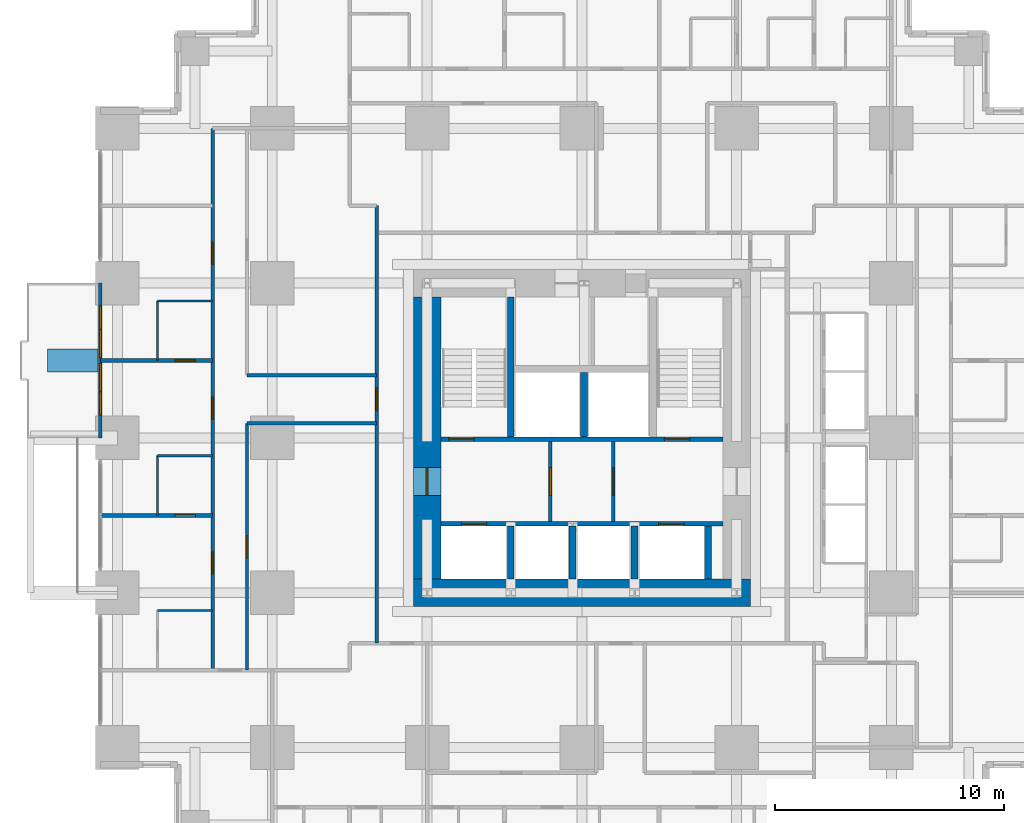
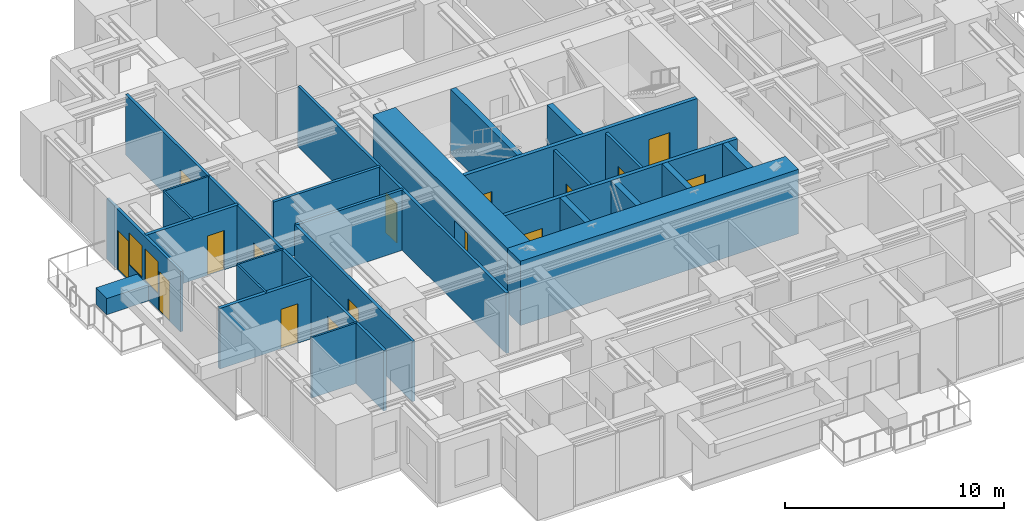
# One storey, part 9 of 14: 26 walls, 16 doors, 2 windows, 18 openings.
"""IFC4 building model written with IfcOpenShell, lengths in metres."""

from ifc_helpers import new_model, si_unit, direction, frame, frame_2d, origin, place, context, subcontext, project, spatial, rectangle, extrude, material, layer, layer_set, type_object, element, fill, save


model = new_model("IFC4")

# Units and contexts
model_context = context("Model", 3, precision=1e-05, world=origin(), true_north=direction((0.0, 1.0)))
body_context = subcontext(model_context, "Body", "Model", "MODEL_VIEW")
ifc_project = project(units=[si_unit("LENGTHUNIT", "METRE"), si_unit("AREAUNIT", "SQUARE_METRE"), si_unit("VOLUMEUNIT", "CUBIC_METRE"), si_unit("PLANEANGLEUNIT", "RADIAN"), si_unit("MASSUNIT", "GRAM", prefix="KILO")], contexts=[model_context])

# Site, building, storey
site_placement = place(None, origin())
site = spatial("IfcSite", under=ifc_project, at=site_placement, CompositionType="ELEMENT")
building_placement = place(site_placement, origin())
building = spatial("IfcBuilding", under=site, at=building_placement, Name="Nyansa Garden Tower", CompositionType="ELEMENT")
storey_placement = place(building_placement, frame((0.0, 0.0, 28.800048828125)))
storey = spatial("IfcBuildingStorey", under=building, at=storey_placement, Name="L07", CompositionType="ELEMENT", Elevation=28.800048828125)

# Wall, opening, door
ifc_material_1 = material(Name="Dense blockwork, plastered both sides, 55 dB", Category="masonry")
ifc_layer_1 = layer(ifc_material_1, 0.175048828125)
ifc_layer_set_1 = layer_set([ifc_layer_1], Name="Acoustic party wall PW175")
wall_type_1 = type_object("IfcWallType", Name="Acoustic party wall PW175", PredefinedType="PARTITIONING", material=ifc_layer_set_1)
wall_1_placement = place(storey_placement, frame((-0.73388671875, 16.875, 0.0), z_axis=(0.0, 0.0, 1.0), x_axis=(1.0, 0.0, 0.0)))
wall_1 = element("IfcWall", 1, at=wall_1_placement, inside=storey, type_object=wall_type_1, Name="Party wall", PredefinedType="PARTITIONING", context=body_context, shape_type="SweptSolid", body=[
    extrude(rectangle(XDim=4.8837890625, YDim=0.175048828125, at=frame_2d((2.44189453125, 0.0))), origin(), (0.0, 0.0, 1.0), 3.375),
])
opening_1_placement = place(wall_1_placement, frame((3.23388671875, 0.0, 0.0)))
opening_1 = element("IfcOpeningElement", 2, at=opening_1_placement, cuts=wall_1, Name="Opening D02", PredefinedType="OPENING", context=body_context, shape_type="SweptSolid", body=[
    extrude(rectangle(XDim=0.89990234375, YDim=2.199951171875, at=frame_2d((0.449951171875, 1.10009765625))), frame((0.0, 0.097412109375, 0.0), z_axis=(0.0, -1.0, 0.0), x_axis=(1.0, 0.0, 0.0)), (0.0, 0.0, 1.0), 0.195068359375),
])
ifc_material_2 = material(Name="Timber flush door", Category="wood")
door_type_1 = type_object("IfcDoorType", Name="En-suite door D02 900x2200", OperationType="SINGLE_SWING_RIGHT", PredefinedType="DOOR", material=ifc_material_2)
door_1_placement = place(opening_1_placement, origin())
door_1 = element("IfcDoor", 3, at=door_1_placement, inside=storey, type_object=door_type_1, Name="Door L07-061", OperationType="SINGLE_SWING_RIGHT", OverallHeight=2.199951171875, OverallWidth=0.89990234375, PredefinedType="DOOR", context=body_context, shape_type="SweptSolid", body=[
    extrude(rectangle(XDim=0.89990234375, YDim=2.199951171875, at=frame_2d((0.449951171875, 1.10009765625))), frame((0.0, 0.02490234375, 0.0), z_axis=(0.0, -1.0, 0.0), x_axis=(1.0, 0.0, 0.0)), (0.0, 0.0, 1.0), 0.050048828125),
])
fill(opening_1, door_1)

wall_2_placement = place(storey_placement, frame((-0.73388671875, 23.625, 0.0), z_axis=(0.0, 0.0, 1.0), x_axis=(1.0, 0.0, 0.0)))
wall_2 = element("IfcWall", 4, at=wall_2_placement, inside=storey, type_object=wall_type_1, Name="Party wall", PredefinedType="PARTITIONING", context=body_context, shape_type="SweptSolid", body=[
    extrude(rectangle(XDim=4.8837890625, YDim=0.175048828125, at=frame_2d((2.44189453125, 0.0))), origin(), (0.0, 0.0, 1.0), 3.375),
])
opening_2_placement = place(wall_2_placement, frame((3.23388671875, 0.0, 0.0)))
opening_2 = element("IfcOpeningElement", 5, at=opening_2_placement, cuts=wall_2, Name="Opening D02", PredefinedType="OPENING", context=body_context, shape_type="SweptSolid", body=[
    extrude(rectangle(XDim=0.89990234375, YDim=2.199951171875, at=frame_2d((0.449951171875, 1.10009765625))), frame((0.0, 0.097412109375, 0.0), z_axis=(0.0, -1.0, 0.0), x_axis=(1.0, 0.0, 0.0)), (0.0, 0.0, 1.0), 0.195068359375),
])
door_2_placement = place(opening_2_placement, origin())
door_2 = element("IfcDoor", 6, at=door_2_placement, inside=storey, type_object=door_type_1, Name="Door L07-063", OperationType="SINGLE_SWING_RIGHT", OverallHeight=2.199951171875, OverallWidth=0.89990234375, PredefinedType="DOOR", context=body_context, shape_type="SweptSolid", body=[
    extrude(rectangle(XDim=0.89990234375, YDim=2.199951171875, at=frame_2d((0.449951171875, 1.10009765625))), frame((0.0, 0.02490234375, 0.0), z_axis=(0.0, -1.0, 0.0), x_axis=(1.0, 0.0, 0.0)), (0.0, 0.0, 1.0), 0.050048828125),
])
fill(opening_2, door_2)

# Wall, openings, doors, windows
ifc_material_3 = material(Name="Black aluminium framed glazed screen", Category="aluminium")
ifc_layer_2 = layer(ifc_material_3, 0.14990234375)
ifc_layer_set_2 = layer_set([ifc_layer_2], Name="Balcony screen wall BW150")
wall_type_2 = type_object("IfcWallType", Name="Balcony screen wall BW150", PredefinedType="SOLIDWALL", material=ifc_layer_set_2)
wall_3_placement = place(storey_placement, frame((-0.75, 20.25, 0.0), z_axis=(0.0, 0.0, 1.0), x_axis=(0.0, 1.0, 0.0)))
wall_3 = element("IfcWall", 7, at=wall_3_placement, inside=storey, type_object=wall_type_2, Name="Glazed screen wall L07 W", PredefinedType="SOLIDWALL", context=body_context, shape_type="SweptSolid", body=[
    extrude(rectangle(XDim=6.75, YDim=0.14990234375, at=frame_2d((3.375, 0.0))), origin(), (0.0, 0.0, 1.0), 3.375),
])
opening_3_placement = place(wall_3_placement, frame((0.995849609375, 0.0, 0.0)))
opening_3 = element("IfcOpeningElement", 8, at=opening_3_placement, cuts=wall_3, Name="Opening D20", PredefinedType="OPENING", context=body_context, shape_type="SweptSolid", body=[
    extrude(rectangle(XDim=1.0, YDim=2.199951171875, at=frame_2d((0.5, 1.10009765625))), frame((0.0, 0.0849609375, 0.0), z_axis=(0.0, -1.0, 0.0), x_axis=(1.0, 0.0, 0.0)), (0.0, 0.0, 1.0), 0.169921875),
])
opening_4_placement = place(wall_3_placement, frame((2.041748046875, 0.0, 0.89990234375)))
opening_4 = element("IfcOpeningElement", 9, at=opening_4_placement, cuts=wall_3, Name="Opening W6", PredefinedType="OPENING", context=body_context, shape_type="SweptSolid", body=[
    extrude(rectangle(XDim=1.199951171875, YDim=1.800048828125, at=frame_2d((0.60009765625, 0.89990234375))), frame((0.0, 0.0849609375, 0.0), z_axis=(0.0, -1.0, 0.0), x_axis=(1.0, 0.0, 0.0)), (0.0, 0.0, 1.0), 0.169921875),
])
opening_5_placement = place(wall_3_placement, frame((4.754150390625, 0.0, 0.0)))
opening_5 = element("IfcOpeningElement", 10, at=opening_5_placement, cuts=wall_3, Name="Opening D20", PredefinedType="OPENING", context=body_context, shape_type="SweptSolid", body=[
    extrude(rectangle(XDim=1.0, YDim=2.199951171875, at=frame_2d((0.5, 1.10009765625))), frame((0.0, 0.0849609375, 0.0), z_axis=(0.0, -1.0, 0.0), x_axis=(1.0, 0.0, 0.0)), (0.0, 0.0, 1.0), 0.169921875),
])
opening_6_placement = place(wall_3_placement, frame((3.50830078125, 0.0, 0.89990234375)))
opening_6 = element("IfcOpeningElement", 11, at=opening_6_placement, cuts=wall_3, Name="Opening W6", PredefinedType="OPENING", context=body_context, shape_type="SweptSolid", body=[
    extrude(rectangle(XDim=1.199951171875, YDim=1.800048828125, at=frame_2d((0.60009765625, 0.89990234375))), frame((0.0, 0.0849609375, 0.0), z_axis=(0.0, -1.0, 0.0), x_axis=(1.0, 0.0, 0.0)), (0.0, 0.0, 1.0), 0.169921875),
])
ifc_material_4 = material(Name="Black aluminium framed glazed door", Category="aluminium")
door_type_2 = type_object("IfcDoorType", Name="Balcony door D20 1000x2200", OperationType="NOTDEFINED", PredefinedType="DOOR", material=ifc_material_4)
door_3_placement = place(opening_3_placement, origin())
door_3 = element("IfcDoor", 12, at=door_3_placement, inside=storey, type_object=door_type_2, Name="Balcony door L07", OperationType="SINGLE_SWING_LEFT", OverallHeight=2.199951171875, OverallWidth=1.0, PredefinedType="DOOR", context=body_context, shape_type="SweptSolid", body=[
    extrude(rectangle(XDim=1.0, YDim=2.199951171875, at=frame_2d((0.5, 1.10009765625))), frame((0.0, 0.02490234375, 0.0), z_axis=(0.0, -1.0, 0.0), x_axis=(1.0, 0.0, 0.0)), (0.0, 0.0, 1.0), 0.050048828125),
])
fill(opening_3, door_3)
door_4_placement = place(opening_5_placement, origin())
door_4 = element("IfcDoor", 13, at=door_4_placement, inside=storey, type_object=door_type_2, Name="Balcony door L07", OperationType="SINGLE_SWING_RIGHT", OverallHeight=2.199951171875, OverallWidth=1.0, PredefinedType="DOOR", context=body_context, shape_type="SweptSolid", body=[
    extrude(rectangle(XDim=1.0, YDim=2.199951171875, at=frame_2d((0.5, 1.10009765625))), frame((0.0, 0.02490234375, 0.0), z_axis=(0.0, -1.0, 0.0), x_axis=(1.0, 0.0, 0.0)), (0.0, 0.0, 1.0), 0.050048828125),
])
fill(opening_5, door_4)
ifc_material_5 = material(Name="Black aluminium frame, dark tinted double glazing", Category="aluminium")
window_type = type_object("IfcWindowType", Name="Balcony window W6 1200x1800", PartitioningType="SINGLE_PANEL", PredefinedType="WINDOW", material=ifc_material_5)
window_1_placement = place(opening_4_placement, origin())
window_1 = element("IfcWindow", 14, at=window_1_placement, inside=storey, type_object=window_type, Name="Window L07", OverallHeight=1.800048828125, OverallWidth=1.199951171875, PartitioningType="SINGLE_PANEL", PredefinedType="WINDOW", context=body_context, shape_type="SweptSolid", body=[
    extrude(rectangle(XDim=1.199951171875, YDim=1.800048828125, at=frame_2d((0.60009765625, 0.89990234375))), frame((0.0, 0.030029296875, 0.0), z_axis=(0.0, -1.0, 0.0), x_axis=(1.0, 0.0, 0.0)), (0.0, 0.0, 1.0), 0.06005859375),
])
fill(opening_4, window_1)
window_2_placement = place(opening_6_placement, origin())
window_2 = element("IfcWindow", 15, at=window_2_placement, inside=storey, type_object=window_type, Name="Window L07", OverallHeight=1.800048828125, OverallWidth=1.199951171875, PartitioningType="SINGLE_PANEL", PredefinedType="WINDOW", context=body_context, shape_type="SweptSolid", body=[
    extrude(rectangle(XDim=1.199951171875, YDim=1.800048828125, at=frame_2d((0.60009765625, 0.89990234375))), frame((0.0, 0.030029296875, 0.0), z_axis=(0.0, -1.0, 0.0), x_axis=(1.0, 0.0, 0.0)), (0.0, 0.0, 1.0), 0.06005859375),
])
fill(opening_6, window_2)

# Wall, openings, doors
ifc_material_6 = material(Name="Concrete C70/85", Category="concrete")
ifc_layer_3 = layer(ifc_material_6, 0.199951171875)
ifc_layer_set_3 = layer_set([ifc_layer_3], Name="Core inner wall CI200")
wall_type_3 = type_object("IfcWallType", Name="Core inner wall CI200", PredefinedType="SHEAR", material=ifc_layer_set_3)
wall_4_placement = place(storey_placement, frame((14.10009765625, 16.5, 0.0), z_axis=(0.0, 0.0, 1.0), x_axis=(1.0, 0.0, 0.0)))
wall_4 = element("IfcWall", 16, at=wall_4_placement, inside=storey, type_object=wall_type_3, Name="Core inner wall L07", PredefinedType="SHEAR", context=body_context, shape_type="SweptSolid", body=[
    extrude(rectangle(XDim=12.2998046875, YDim=0.199951171875, at=frame_2d((6.14990234375, 0.0))), origin(), (0.0, 0.0, 1.0), 3.599853515625),
])
opening_7_placement = place(wall_4_placement, frame((0.89990234375, 0.0, 0.0)))
opening_7 = element("IfcOpeningElement", 17, at=opening_7_placement, cuts=wall_4, Name="Opening LD-F", PredefinedType="OPENING", context=body_context, shape_type="SweptSolid", body=[
    extrude(rectangle(XDim=1.10009765625, YDim=2.199951171875, at=frame_2d((0.550048828125, 1.10009765625))), frame((0.0, 0.10986328125, 0.0), z_axis=(0.0, -1.0, 0.0), x_axis=(1.0, 0.0, 0.0)), (0.0, 0.0, 1.0), 0.219970703125),
])
opening_8_placement = place(wall_4_placement, frame((9.5, 0.0, 0.0)))
opening_8 = element("IfcOpeningElement", 18, at=opening_8_placement, cuts=wall_4, Name="Opening LD-F", PredefinedType="OPENING", context=body_context, shape_type="SweptSolid", body=[
    extrude(rectangle(XDim=1.10009765625, YDim=2.199951171875, at=frame_2d((0.550048828125, 1.10009765625))), frame((0.0, 0.10986328125, 0.0), z_axis=(0.0, -1.0, 0.0), x_axis=(1.0, 0.0, 0.0)), (0.0, 0.0, 1.0), 0.219970703125),
])
ifc_material_7 = material(Name="Stainless steel centre-opening landing door of the firefighting lift, EN 81-72, E 120", Category="steel")
door_type_3 = type_object("IfcDoorType", Name="Lift landing door LD-F 1100x2200", OperationType="DOUBLE_DOOR_SLIDING", PredefinedType="DOOR", material=ifc_material_7)
door_5_placement = place(opening_7_placement, origin())
door_5 = element("IfcDoor", 19, at=door_5_placement, inside=storey, type_object=door_type_3, Name="Landing door FF1", OperationType="DOUBLE_DOOR_SLIDING", OverallHeight=2.199951171875, OverallWidth=1.10009765625, PredefinedType="DOOR", context=body_context, shape_type="SweptSolid", body=[
    extrude(rectangle(XDim=1.10009765625, YDim=2.199951171875, at=frame_2d((0.550048828125, 1.10009765625))), frame((0.0, 0.02490234375, 0.0), z_axis=(0.0, -1.0, 0.0), x_axis=(1.0, 0.0, 0.0)), (0.0, 0.0, 1.0), 0.050048828125),
])
fill(opening_7, door_5)
door_6_placement = place(opening_8_placement, origin())
door_6 = element("IfcDoor", 20, at=door_6_placement, inside=storey, type_object=door_type_3, Name="Landing door FF2", OperationType="DOUBLE_DOOR_SLIDING", OverallHeight=2.199951171875, OverallWidth=1.10009765625, PredefinedType="DOOR", context=body_context, shape_type="SweptSolid", body=[
    extrude(rectangle(XDim=1.10009765625, YDim=2.199951171875, at=frame_2d((0.550048828125, 1.10009765625))), frame((0.0, 0.02490234375, 0.0), z_axis=(0.0, -1.0, 0.0), x_axis=(1.0, 0.0, 0.0)), (0.0, 0.0, 1.0), 0.050048828125),
])
fill(opening_8, door_6)

wall_5_placement = place(storey_placement, frame((14.10009765625, 20.199951171875, 0.0), z_axis=(0.0, 0.0, 1.0), x_axis=(1.0, 0.0, 0.0)))
wall_5 = element("IfcWall", 21, at=wall_5_placement, inside=storey, type_object=wall_type_3, Name="Core inner wall L07", PredefinedType="SHEAR", context=body_context, shape_type="SweptSolid", body=[
    extrude(rectangle(XDim=12.2998046875, YDim=0.199951171875, at=frame_2d((6.14990234375, 0.0))), origin(), (0.0, 0.0, 1.0), 3.599853515625),
])
opening_9_placement = place(wall_5_placement, frame((0.35009765625, 0.0, 0.0)))
opening_9 = element("IfcOpeningElement", 22, at=opening_9_placement, cuts=wall_5, Name="Opening D05", PredefinedType="OPENING", context=body_context, shape_type="SweptSolid", body=[
    extrude(rectangle(XDim=1.10009765625, YDim=2.199951171875, at=frame_2d((0.550048828125, 1.10009765625))), frame((0.0, 0.10986328125, 0.0), z_axis=(0.0, -1.0, 0.0), x_axis=(1.0, 0.0, 0.0)), (0.0, 0.0, 1.0), 0.219970703125),
])
opening_10_placement = place(wall_5_placement, frame((9.75, 0.0, 0.0)))
opening_10 = element("IfcOpeningElement", 23, at=opening_10_placement, cuts=wall_5, Name="Opening D05", PredefinedType="OPENING", context=body_context, shape_type="SweptSolid", body=[
    extrude(rectangle(XDim=1.10009765625, YDim=2.199951171875, at=frame_2d((0.550048828125, 1.10009765625))), frame((0.0, 0.10986328125, 0.0), z_axis=(0.0, -1.0, 0.0), x_axis=(1.0, 0.0, 0.0)), (0.0, 0.0, 1.0), 0.219970703125),
])
ifc_material_8 = material(Name="Steel door, 120 minute fire resisting", Category="steel")
door_type_4 = type_object("IfcDoorType", Name="Stair door D05 1100x2200", OperationType="SINGLE_SWING_LEFT", PredefinedType="DOOR", material=ifc_material_8)
door_7_placement = place(opening_9_placement, origin())
door_7 = element("IfcDoor", 24, at=door_7_placement, inside=storey, type_object=door_type_4, Name="Stair S1 door", OperationType="SINGLE_SWING_LEFT", OverallHeight=2.199951171875, OverallWidth=1.10009765625, PredefinedType="DOOR", context=body_context, shape_type="SweptSolid", body=[
    extrude(rectangle(XDim=1.10009765625, YDim=2.199951171875, at=frame_2d((0.550048828125, 1.10009765625))), frame((0.0, 0.02490234375, 0.0), z_axis=(0.0, -1.0, 0.0), x_axis=(1.0, 0.0, 0.0)), (0.0, 0.0, 1.0), 0.050048828125),
])
fill(opening_9, door_7)
door_8_placement = place(opening_10_placement, origin())
door_8 = element("IfcDoor", 25, at=door_8_placement, inside=storey, type_object=door_type_4, Name="Stair S2 door", OperationType="SINGLE_SWING_LEFT", OverallHeight=2.199951171875, OverallWidth=1.10009765625, PredefinedType="DOOR", context=body_context, shape_type="SweptSolid", body=[
    extrude(rectangle(XDim=1.10009765625, YDim=2.199951171875, at=frame_2d((0.550048828125, 1.10009765625))), frame((0.0, 0.02490234375, 0.0), z_axis=(0.0, -1.0, 0.0), x_axis=(1.0, 0.0, 0.0)), (0.0, 0.0, 1.0), 0.050048828125),
])
fill(opening_10, door_8)

# Walls
ifc_material_9 = material(Name="Concrete C70/85", Category="concrete")
ifc_layer_4 = layer(ifc_material_9, 0.300048828125)
ifc_layer_set_4 = layer_set([ifc_layer_4], Name="Core inner wall CI300")
wall_type_4 = type_object("IfcWallType", Name="Core inner wall CI300", PredefinedType="SHEAR", material=ifc_layer_set_4)
wall_6_placement = place(storey_placement, frame((17.14990234375, 20.300048828125, 0.0), z_axis=(0.0, 0.0, 1.0), x_axis=(0.0, 1.0, 0.0)))
element("IfcWall", 26, at=wall_6_placement, inside=storey, type_object=wall_type_4, Name="Core inner wall L07", PredefinedType="SHEAR", context=body_context, shape_type="SweptSolid", body=[
    extrude(rectangle(XDim=6.099853515625, YDim=0.300048828125, at=frame_2d((3.0498046875, 0.0))), origin(), (0.0, 0.0, 1.0), 3.599853515625),
])
wall_7_placement = place(storey_placement, frame((20.35009765625, 20.300048828125, 0.0), z_axis=(0.0, 0.0, 1.0), x_axis=(0.0, 1.0, 0.0)))
element("IfcWall", 27, at=wall_7_placement, inside=storey, type_object=wall_type_4, Name="Core inner wall L07", PredefinedType="SHEAR", context=body_context, shape_type="SweptSolid", body=[
    extrude(rectangle(XDim=2.800048828125, YDim=0.300048828125, at=frame_2d((1.39990234375, 0.0))), origin(), (0.0, 0.0, 1.0), 3.599853515625),
])
for number, where, z_axis, x_axis, name in (
    (28, (17.14990234375, 14.10009765625, 0.0), (0.0, 0.0, 1.0), (0.0, 1.0, 0.0), "Core inner wall L07"),
    (29, (19.85009765625, 14.10009765625, 0.0), (0.0, 0.0, 1.0), (0.0, 1.0, 0.0), "Core inner wall L07"),
    (30, (22.550048828125, 14.10009765625, 0.0), (0.0, 0.0, 1.0), (0.0, 1.0, 0.0), "Core inner wall L07"),
    (31, (25.75, 14.10009765625, 0.0), (0.0, 0.0, 1.0), (0.0, 1.0, 0.0), "Core inner wall L07"),
):
    element("IfcWall", number, at=place(storey_placement, frame(where, z_axis=z_axis, x_axis=x_axis)), inside=storey, type_object=wall_type_4, Name=name, PredefinedType="SHEAR", context=body_context, shape_type="SweptSolid", body=[
        extrude(rectangle(XDim=2.2998046875, YDim=0.300048828125, at=frame_2d((1.14990234375, 0.0))), origin(), (0.0, 0.0, 1.0), 3.599853515625),
    ])
ifc_material_10 = material(Name="Concrete C80/95", Category="concrete")
ifc_layer_5 = layer(ifc_material_10, 1.199951171875)
ifc_layer_set_5 = layer_set([ifc_layer_5], Name="Core wall CW1200")
wall_type_5 = type_object("IfcWallType", Name="Core wall CW1200", PredefinedType="SHEAR", material=ifc_layer_set_5)
wall_8_placement = place(storey_placement, frame((12.89990234375, 13.5, 0.0), z_axis=(0.0, 0.0, 1.0), x_axis=(1.0, 0.0, 0.0)))
element("IfcWall", 32, at=wall_8_placement, inside=storey, type_object=wall_type_5, Name="Core wall S L07", PredefinedType="SHEAR", context=body_context, shape_type="SweptSolid", body=[
    extrude(rectangle(XDim=14.7001953125, YDim=1.199951171875, at=frame_2d((7.35009765625, 0.0))), origin(), (0.0, 0.0, 1.0), 3.599853515625),
])

# Wall, opening, door
wall_9_placement = place(storey_placement, frame((13.5, 26.39990234375, 0.0), z_axis=(0.0, 0.0, 1.0), x_axis=(0.0, -1.0, 0.0)))
wall_9 = element("IfcWall", 33, at=wall_9_placement, inside=storey, type_object=wall_type_5, Name="Core wall W L07", PredefinedType="SHEAR", context=body_context, shape_type="SweptSolid", body=[
    extrude(rectangle(XDim=12.2998046875, YDim=1.199951171875, at=frame_2d((6.14990234375, 0.0))), origin(), (0.0, 0.0, 1.0), 3.599853515625),
])
opening_11_placement = place(wall_9_placement, frame((7.449951171875, 0.0, 0.0)))
opening_11 = element("IfcOpeningElement", 34, at=opening_11_placement, cuts=wall_9, Name="Opening D06", PredefinedType="OPENING", context=body_context, shape_type="SweptSolid", body=[
    extrude(rectangle(XDim=1.199951171875, YDim=2.199951171875, at=frame_2d((0.60009765625, 1.10009765625))), frame((0.0, 0.60986328125, 0.0), z_axis=(0.0, -1.0, 0.0), x_axis=(1.0, 0.0, 0.0)), (0.0, 0.0, 1.0), 1.219970703125),
])
ifc_material_11 = material(Name="Steel door, 120 minute fire resisting", Category="steel")
door_type_5 = type_object("IfcDoorType", Name="Lobby door D06 1200x2200", OperationType="DOUBLE_DOOR_SINGLE_SWING", PredefinedType="DOOR", material=ifc_material_11)
door_9_placement = place(opening_11_placement, origin())
door_9 = element("IfcDoor", 35, at=door_9_placement, inside=storey, type_object=door_type_5, Name="Lift lobby door west", OperationType="DOUBLE_DOOR_SINGLE_SWING", OverallHeight=2.199951171875, OverallWidth=1.199951171875, PredefinedType="DOOR", context=body_context, shape_type="SweptSolid", body=[
    extrude(rectangle(XDim=1.199951171875, YDim=2.199951171875, at=frame_2d((0.60009765625, 1.10009765625))), frame((0.0, 0.02490234375, 0.0), z_axis=(0.0, -1.0, 0.0), x_axis=(1.0, 0.0, 0.0)), (0.0, 0.0, 1.0), 0.050048828125),
])
fill(opening_11, door_9)

ifc_material_12 = material(Name="Blockwork, plastered both sides", Category="masonry")
ifc_layer_6 = layer(ifc_material_12, 0.14990234375)
ifc_layer_set_6 = layer_set([ifc_layer_6], Name="Partition PW150")
wall_type_6 = type_object("IfcWallType", Name="Partition PW150", PredefinedType="PARTITIONING", material=ifc_layer_set_6)
wall_10_placement = place(storey_placement, frame((18.875, 16.60009765625, 0.0), z_axis=(0.0, 0.0, 1.0), x_axis=(0.0, 1.0, 0.0)))
wall_10 = element("IfcWall", 36, at=wall_10_placement, inside=storey, type_object=wall_type_6, Name="Partition", PredefinedType="PARTITIONING", context=body_context, shape_type="SweptSolid", body=[
    extrude(rectangle(XDim=3.5, YDim=0.14990234375, at=frame_2d((1.75, 0.0))), origin(), (0.0, 0.0, 1.0), 3.375),
])
opening_12_placement = place(wall_10_placement, frame((1.14990234375, 0.0, 0.0)))
opening_12 = element("IfcOpeningElement", 37, at=opening_12_placement, cuts=wall_10, Name="Opening D06", PredefinedType="OPENING", context=body_context, shape_type="SweptSolid", body=[
    extrude(rectangle(XDim=1.199951171875, YDim=2.199951171875, at=frame_2d((0.60009765625, 1.10009765625))), frame((0.0, 0.0849609375, 0.0), z_axis=(0.0, -1.0, 0.0), x_axis=(1.0, 0.0, 0.0)), (0.0, 0.0, 1.0), 0.169921875),
])
door_10_placement = place(opening_12_placement, origin())
door_10 = element("IfcDoor", 38, at=door_10_placement, inside=storey, type_object=door_type_5, Name="Passenger lift lobby door", OperationType="DOUBLE_DOOR_SINGLE_SWING", OverallHeight=2.199951171875, OverallWidth=1.199951171875, PredefinedType="DOOR", context=body_context, shape_type="SweptSolid", body=[
    extrude(rectangle(XDim=1.199951171875, YDim=2.199951171875, at=frame_2d((0.60009765625, 1.10009765625))), frame((0.0, 0.02490234375, 0.0), z_axis=(0.0, -1.0, 0.0), x_axis=(1.0, 0.0, 0.0)), (0.0, 0.0, 1.0), 0.050048828125),
])
fill(opening_12, door_10)

wall_11_placement = place(storey_placement, frame((21.625, 16.60009765625, 0.0), z_axis=(0.0, 0.0, 1.0), x_axis=(0.0, 1.0, 0.0)))
wall_11 = element("IfcWall", 39, at=wall_11_placement, inside=storey, type_object=wall_type_6, Name="Partition", PredefinedType="PARTITIONING", context=body_context, shape_type="SweptSolid", body=[
    extrude(rectangle(XDim=3.5, YDim=0.14990234375, at=frame_2d((1.75, 0.0))), origin(), (0.0, 0.0, 1.0), 3.375),
])
opening_13_placement = place(wall_11_placement, frame((1.14990234375, 0.0, 0.0)))
opening_13 = element("IfcOpeningElement", 40, at=opening_13_placement, cuts=wall_11, Name="Opening D06", PredefinedType="OPENING", context=body_context, shape_type="SweptSolid", body=[
    extrude(rectangle(XDim=1.199951171875, YDim=2.199951171875, at=frame_2d((0.60009765625, 1.10009765625))), frame((0.0, 0.0849609375, 0.0), z_axis=(0.0, -1.0, 0.0), x_axis=(1.0, 0.0, 0.0)), (0.0, 0.0, 1.0), 0.169921875),
])
door_11_placement = place(opening_13_placement, origin())
door_11 = element("IfcDoor", 41, at=door_11_placement, inside=storey, type_object=door_type_5, Name="Passenger lift lobby door", OperationType="DOUBLE_DOOR_SINGLE_SWING", OverallHeight=2.199951171875, OverallWidth=1.199951171875, PredefinedType="DOOR", context=body_context, shape_type="SweptSolid", body=[
    extrude(rectangle(XDim=1.199951171875, YDim=2.199951171875, at=frame_2d((0.60009765625, 1.10009765625))), frame((0.0, 0.02490234375, 0.0), z_axis=(0.0, -1.0, 0.0), x_axis=(1.0, 0.0, 0.0)), (0.0, 0.0, 1.0), 0.050048828125),
])
fill(opening_13, door_11)

# Wall, openings, doors
wall_12_placement = place(storey_placement, frame((4.14990234375, 10.125, 0.0), z_axis=(0.0, 0.0, 1.0), x_axis=(0.0, 1.0, 0.0)))
wall_12 = element("IfcWall", 42, at=wall_12_placement, inside=storey, type_object=wall_type_6, Name="Partition", PredefinedType="PARTITIONING", context=body_context, shape_type="SweptSolid", body=[
    extrude(rectangle(XDim=23.625, YDim=0.14990234375, at=frame_2d((11.8125, 0.0))), origin(), (0.0, 0.0, 1.0), 3.375),
])
opening_14_placement = place(wall_12_placement, frame((4.199951171875, 0.0, 0.0)))
opening_14 = element("IfcOpeningElement", 43, at=opening_14_placement, cuts=wall_12, Name="Opening D14", PredefinedType="OPENING", context=body_context, shape_type="SweptSolid", body=[
    extrude(rectangle(XDim=0.949951171875, YDim=2.199951171875, at=frame_2d((0.47509765625, 1.10009765625))), frame((0.0, 0.0849609375, 0.0), z_axis=(0.0, -1.0, 0.0), x_axis=(1.0, 0.0, 0.0)), (0.0, 0.0, 1.0), 0.169921875),
])
opening_15_placement = place(wall_12_placement, frame((10.949951171875, 0.0, 0.0)))
opening_15 = element("IfcOpeningElement", 44, at=opening_15_placement, cuts=wall_12, Name="Opening D14", PredefinedType="OPENING", context=body_context, shape_type="SweptSolid", body=[
    extrude(rectangle(XDim=0.949951171875, YDim=2.199951171875, at=frame_2d((0.47509765625, 1.10009765625))), frame((0.0, 0.0849609375, 0.0), z_axis=(0.0, -1.0, 0.0), x_axis=(1.0, 0.0, 0.0)), (0.0, 0.0, 1.0), 0.169921875),
])
opening_16_placement = place(wall_12_placement, frame((17.699951171875, 0.0, 0.0)))
opening_16 = element("IfcOpeningElement", 45, at=opening_16_placement, cuts=wall_12, Name="Opening D14", PredefinedType="OPENING", context=body_context, shape_type="SweptSolid", body=[
    extrude(rectangle(XDim=0.949951171875, YDim=2.199951171875, at=frame_2d((0.47509765625, 1.10009765625))), frame((0.0, 0.0849609375, 0.0), z_axis=(0.0, -1.0, 0.0), x_axis=(1.0, 0.0, 0.0)), (0.0, 0.0, 1.0), 0.169921875),
])
ifc_material_13 = material(Name="Timber flush door, 60 minute fire resisting, self-closing", Category="wood")
door_type_6 = type_object("IfcDoorType", Name="Studio entrance door D14 950x2200", OperationType="SINGLE_SWING_LEFT", PredefinedType="DOOR", material=ifc_material_13)
door_12_placement = place(opening_14_placement, origin())
door_12 = element("IfcDoor", 46, at=door_12_placement, inside=storey, type_object=door_type_6, Name="Door L07-058", OperationType="SINGLE_SWING_LEFT", OverallHeight=2.199951171875, OverallWidth=0.949951171875, PredefinedType="DOOR", context=body_context, shape_type="SweptSolid", body=[
    extrude(rectangle(XDim=0.949951171875, YDim=2.199951171875, at=frame_2d((0.47509765625, 1.10009765625))), frame((0.0, 0.02490234375, 0.0), z_axis=(0.0, -1.0, 0.0), x_axis=(1.0, 0.0, 0.0)), (0.0, 0.0, 1.0), 0.050048828125),
])
fill(opening_14, door_12)
door_13_placement = place(opening_15_placement, origin())
door_13 = element("IfcDoor", 47, at=door_13_placement, inside=storey, type_object=door_type_6, Name="Door L07-060", OperationType="SINGLE_SWING_LEFT", OverallHeight=2.199951171875, OverallWidth=0.949951171875, PredefinedType="DOOR", context=body_context, shape_type="SweptSolid", body=[
    extrude(rectangle(XDim=0.949951171875, YDim=2.199951171875, at=frame_2d((0.47509765625, 1.10009765625))), frame((0.0, 0.02490234375, 0.0), z_axis=(0.0, -1.0, 0.0), x_axis=(1.0, 0.0, 0.0)), (0.0, 0.0, 1.0), 0.050048828125),
])
fill(opening_15, door_13)
door_14_placement = place(opening_16_placement, origin())
door_14 = element("IfcDoor", 48, at=door_14_placement, inside=storey, type_object=door_type_6, Name="Door L07-062", OperationType="SINGLE_SWING_LEFT", OverallHeight=2.199951171875, OverallWidth=0.949951171875, PredefinedType="DOOR", context=body_context, shape_type="SweptSolid", body=[
    extrude(rectangle(XDim=0.949951171875, YDim=2.199951171875, at=frame_2d((0.47509765625, 1.10009765625))), frame((0.0, 0.02490234375, 0.0), z_axis=(0.0, -1.0, 0.0), x_axis=(1.0, 0.0, 0.0)), (0.0, 0.0, 1.0), 0.050048828125),
])
fill(opening_16, door_14)

# Wall, opening, door
wall_13_placement = place(storey_placement, frame((5.64990234375, 10.125, 0.0), z_axis=(0.0, 0.0, 1.0), x_axis=(0.0, 1.0, 0.0)))
wall_13 = element("IfcWall", 49, at=wall_13_placement, inside=storey, type_object=wall_type_6, Name="Partition", PredefinedType="PARTITIONING", context=body_context, shape_type="SweptSolid", body=[
    extrude(rectangle(XDim=10.762451171875, YDim=0.14990234375, at=frame_2d((5.38134765625, 0.0))), origin(), (0.0, 0.0, 1.0), 3.375),
])
opening_17_placement = place(wall_13_placement, frame((4.89990234375, 0.0, 0.0)))
opening_17 = element("IfcOpeningElement", 50, at=opening_17_placement, cuts=wall_13, Name="Opening D01", PredefinedType="OPENING", context=body_context, shape_type="SweptSolid", body=[
    extrude(rectangle(XDim=0.949951171875, YDim=2.199951171875, at=frame_2d((0.47509765625, 1.10009765625))), frame((0.0, 0.0849609375, 0.0), z_axis=(0.0, -1.0, 0.0), x_axis=(1.0, 0.0, 0.0)), (0.0, 0.0, 1.0), 0.169921875),
])
ifc_material_14 = material(Name="Timber flush door, 30 minute fire resisting", Category="wood")
door_type_7 = type_object("IfcDoorType", Name="Bedroom door D01 950x2200", OperationType="SINGLE_SWING_LEFT", PredefinedType="DOOR", material=ifc_material_14)
door_15_placement = place(opening_17_placement, origin())
door_15 = element("IfcDoor", 51, at=door_15_placement, inside=storey, type_object=door_type_7, Name="Door L07-065", OperationType="SINGLE_SWING_LEFT", OverallHeight=2.199951171875, OverallWidth=0.949951171875, PredefinedType="DOOR", context=body_context, shape_type="SweptSolid", body=[
    extrude(rectangle(XDim=0.949951171875, YDim=2.199951171875, at=frame_2d((0.47509765625, 1.10009765625))), frame((0.0, 0.02490234375, 0.0), z_axis=(0.0, -1.0, 0.0), x_axis=(1.0, 0.0, 0.0)), (0.0, 0.0, 1.0), 0.050048828125),
])
fill(opening_17, door_15)

# Walls
for number, where, z_axis, x_axis, name in (
    (52, (5.64990234375, 20.886962890625, 0.0), (0.0, 0.0, 1.0), (1.0, 0.0, 0.0), "Partition"),
    (53, (5.64990234375, 22.988037109375, 0.0), (0.0, 0.0, 1.0), (1.0, 0.0, 0.0), "Partition"),
):
    element("IfcWall", number, at=place(storey_placement, frame(where, z_axis=z_axis, x_axis=x_axis)), inside=storey, type_object=wall_type_6, Name=name, PredefinedType="PARTITIONING", context=body_context, shape_type="SweptSolid", body=[
        extrude(rectangle(XDim=5.650146484375, YDim=0.14990234375, at=frame_2d((2.8251953125, 0.0))), origin(), (0.0, 0.0, 1.0), 3.375),
    ])

# Wall, opening, door
wall_14_placement = place(storey_placement, frame((11.300048828125, 11.300048828125, 0.0), z_axis=(0.0, 0.0, 1.0), x_axis=(0.0, 1.0, 0.0)))
wall_14 = element("IfcWall", 54, at=wall_14_placement, inside=storey, type_object=wall_type_6, Name="Partition", PredefinedType="PARTITIONING", context=body_context, shape_type="SweptSolid", body=[
    extrude(rectangle(XDim=19.074951171875, YDim=0.14990234375, at=frame_2d((9.53759765625, 0.0))), origin(), (0.0, 0.0, 1.0), 3.375),
])
opening_18_placement = place(wall_14_placement, frame((10.137451171875, 0.0, 0.0)))
opening_18 = element("IfcOpeningElement", 55, at=opening_18_placement, cuts=wall_14, Name="Opening D03", PredefinedType="OPENING", context=body_context, shape_type="SweptSolid", body=[
    extrude(rectangle(XDim=1.0, YDim=2.199951171875, at=frame_2d((0.5, 1.10009765625))), frame((0.0, 0.0849609375, 0.0), z_axis=(0.0, -1.0, 0.0), x_axis=(1.0, 0.0, 0.0)), (0.0, 0.0, 1.0), 0.169921875),
])
ifc_material_15 = material(Name="Timber flush door, 60 minute fire resisting", Category="wood")
door_type_8 = type_object("IfcDoorType", Name="Cluster entrance door D03 1000x2200", OperationType="SINGLE_SWING_LEFT", PredefinedType="DOOR", material=ifc_material_15)
door_16_placement = place(opening_18_placement, origin())
door_16 = element("IfcDoor", 56, at=door_16_placement, inside=storey, type_object=door_type_8, Name="Door L07-064", OperationType="SINGLE_SWING_LEFT", OverallHeight=2.199951171875, OverallWidth=1.0, PredefinedType="DOOR", context=body_context, shape_type="SweptSolid", body=[
    extrude(rectangle(XDim=1.0, YDim=2.199951171875, at=frame_2d((0.5, 1.10009765625))), frame((0.0, 0.02490234375, 0.0), z_axis=(0.0, -1.0, 0.0), x_axis=(1.0, 0.0, 0.0)), (0.0, 0.0, 1.0), 0.050048828125),
])
fill(opening_18, door_16)

# Walls
ifc_material_16 = material(Name="Concrete C40/50 planter, waterproofed", Category="concrete")
ifc_layer_7 = layer(ifc_material_16, 1.0)
ifc_layer_set_7 = layer_set([ifc_layer_7], Name="Tree planter TP1")
wall_type_7 = type_object("IfcWallType", Name="Tree planter TP1", PredefinedType="USERDEFINED", material=ifc_layer_set_7)
wall_15_placement = place(storey_placement, frame((-0.85009765625, 23.625, 0.0), z_axis=(0.0, 0.0, 1.0), x_axis=(-1.0, 0.0, 0.0)))
element("IfcWall", 57, at=wall_15_placement, inside=storey, type_object=wall_type_7, Name="Tree planter L07", ObjectType="TREE PLANTER", PredefinedType="USERDEFINED", context=body_context, shape_type="SweptSolid", body=[
    extrude(rectangle(XDim=2.199951171875, YDim=1.0, at=frame_2d((1.10009765625, 0.0))), origin(), (0.0, 0.0, 1.0), 0.89990234375),
])
ifc_material_17 = material(Name="Moisture resistant board on steel studs, tiled", Category="steel")
ifc_layer_8 = layer(ifc_material_17, 0.10009765625)
ifc_layer_set_8 = layer_set([ifc_layer_8], Name="Wet wall PW100")
wall_type_8 = type_object("IfcWallType", Name="Wet wall PW100", PredefinedType="PARTITIONING", material=ifc_layer_set_8)
wall_16_placement = place(storey_placement, frame((1.75, 12.72509765625, 0.0), z_axis=(0.0, 0.0, 1.0), x_axis=(1.0, 0.0, 0.0)))
element("IfcWall", 58, at=wall_16_placement, inside=storey, type_object=wall_type_8, Name="Wet wall", PredefinedType="PARTITIONING", context=body_context, shape_type="SweptSolid", body=[
    extrude(rectangle(XDim=2.39990234375, YDim=0.10009765625, at=frame_2d((1.199951171875, 0.0))), origin(), (0.0, 0.0, 1.0), 3.375),
])
wall_17_placement = place(storey_placement, frame((1.75, 16.875, 0.0), z_axis=(0.0, 0.0, 1.0), x_axis=(0.0, 1.0, 0.0)))
element("IfcWall", 59, at=wall_17_placement, inside=storey, type_object=wall_type_8, Name="Wet wall", PredefinedType="PARTITIONING", context=body_context, shape_type="SweptSolid", body=[
    extrude(rectangle(XDim=2.60009765625, YDim=0.10009765625, at=frame_2d((1.300048828125, 0.0))), origin(), (0.0, 0.0, 1.0), 3.375),
])
wall_18_placement = place(storey_placement, frame((1.75, 19.47509765625, 0.0), z_axis=(0.0, 0.0, 1.0), x_axis=(1.0, 0.0, 0.0)))
element("IfcWall", 60, at=wall_18_placement, inside=storey, type_object=wall_type_8, Name="Wet wall", PredefinedType="PARTITIONING", context=body_context, shape_type="SweptSolid", body=[
    extrude(rectangle(XDim=2.39990234375, YDim=0.10009765625, at=frame_2d((1.199951171875, 0.0))), origin(), (0.0, 0.0, 1.0), 3.375),
])
wall_19_placement = place(storey_placement, frame((1.75, 23.625, 0.0), z_axis=(0.0, 0.0, 1.0), x_axis=(0.0, 1.0, 0.0)))
element("IfcWall", 61, at=wall_19_placement, inside=storey, type_object=wall_type_8, Name="Wet wall", PredefinedType="PARTITIONING", context=body_context, shape_type="SweptSolid", body=[
    extrude(rectangle(XDim=2.60009765625, YDim=0.10009765625, at=frame_2d((1.300048828125, 0.0))), origin(), (0.0, 0.0, 1.0), 3.375),
])
wall_20_placement = place(storey_placement, frame((1.75, 26.22509765625, 0.0), z_axis=(0.0, 0.0, 1.0), x_axis=(1.0, 0.0, 0.0)))
element("IfcWall", 62, at=wall_20_placement, inside=storey, type_object=wall_type_8, Name="Wet wall", PredefinedType="PARTITIONING", context=body_context, shape_type="SweptSolid", body=[
    extrude(rectangle(XDim=2.39990234375, YDim=0.10009765625, at=frame_2d((1.199951171875, 0.0))), origin(), (0.0, 0.0, 1.0), 3.375),
])

save(model, "model.ifc")
